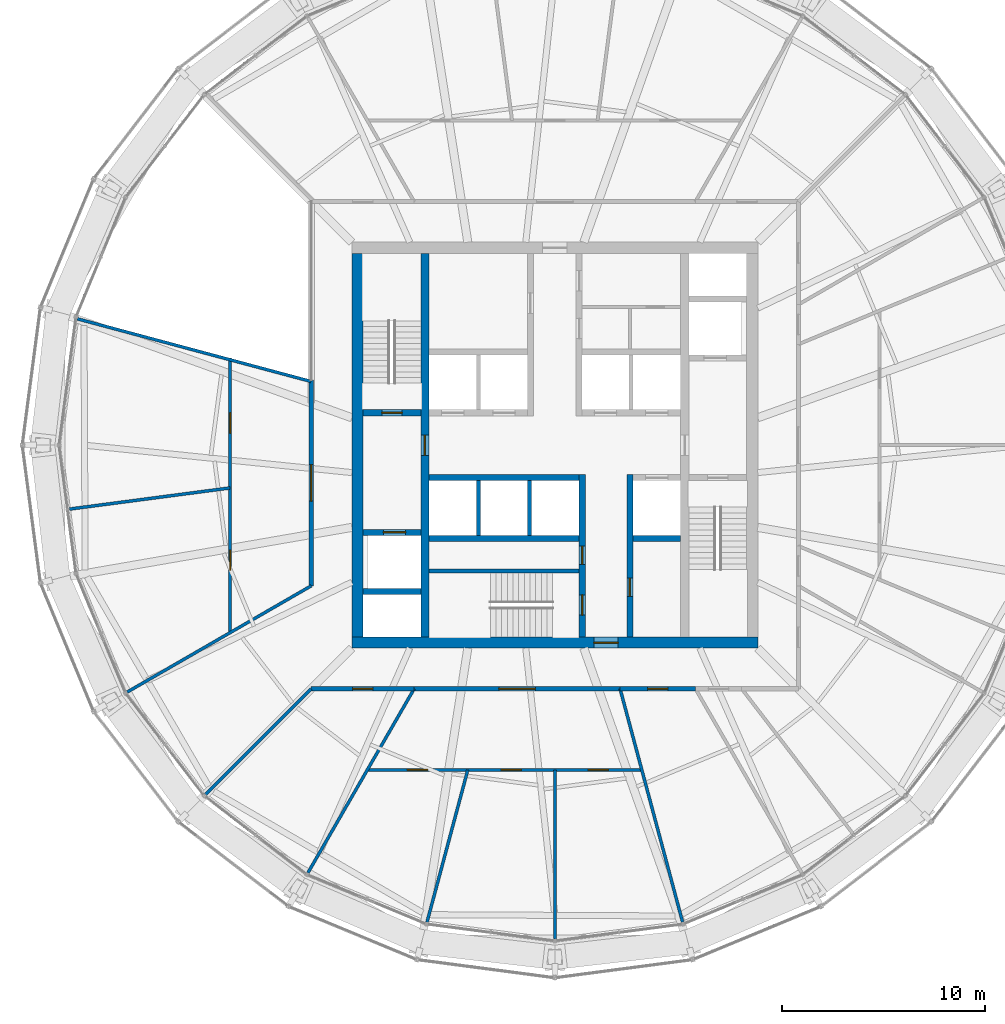
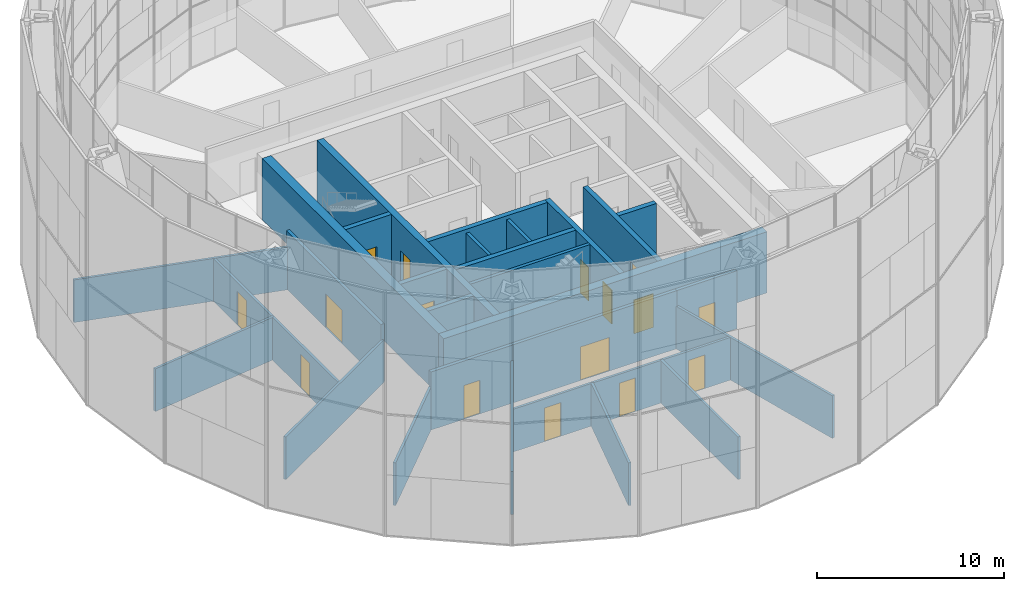
# One storey, part 25 of 28: 28 walls, 16 doors, 16 openings.
"""IFC4 building model written with IfcOpenShell, lengths in metres."""

import ifcopenshell
import ifcopenshell.guid

model = None  # the IFC model being written
_history = None  # IfcOwnerHistory: only IFC2X3 demands one
_inside = {}  # id of a spatial element -> (the spatial element, [elements in it])
_under = {}  # id of a project, library or spatial element -> (it, [spatial elements below it])
_declared = {}  # id of a project -> (the project, [libraries it declares])
_typed = {}  # id of a type object -> (the type object, [elements of that type])
_made_of = {}  # id of a material, layer set ... -> (it, [elements and type objects made of it])


def new_model(schema):
    """Start an empty IFC model of exactly this schema.

    Asked for "IFC4X3", IfcOpenShell would pick the latest addendum, in which some entities
    have other attributes; the version numbers below select the first issue.
    IFC2X3 requires an IfcOwnerHistory on every rooted entity: one is made here for all.
    """
    global model, _history
    if schema == "IFC4X3":
        model = ifcopenshell.file(schema_version=(4, 3, 0, 0))
    else:
        model = ifcopenshell.file(schema=schema)
    _inside.clear()
    _under.clear()
    _declared.clear()
    _typed.clear()
    _made_of.clear()
    _history = None
    if model.schema == "IFC2X3":
        org = make("IfcOrganization", Name="unknown")
        user = make(
            "IfcPersonAndOrganization",
            ThePerson=make("IfcPerson", FamilyName="unknown"),
            TheOrganization=org,
        )
        app = make(
            "IfcApplication",
            ApplicationDeveloper=org,
            Version="unknown",
            ApplicationFullName="unknown",
            ApplicationIdentifier="unknown",
        )
        _history = make(
            "IfcOwnerHistory",
            OwningUser=user,
            OwningApplication=app,
            ChangeAction="ADDED",
            CreationDate=0,
        )
    return model


def make(cls, **values):
    """One entity of the class cls with the attributes given. An attribute that is None is left unset."""
    return model.create_entity(
        cls, **{name: value for name, value in values.items() if value is not None}
    )


def rooted(cls, **values):
    """An entity with a GlobalId (a new one), such as an element, a storey or a relation."""
    return make(cls, GlobalId=ifcopenshell.guid.new(), OwnerHistory=_history, **values)


def si_unit(unit_type, name, prefix=None):
    """IfcSIUnit, for example si_unit("LENGTHUNIT", "METRE", prefix="MILLI")."""
    return make("IfcSIUnit", UnitType=unit_type, Prefix=prefix, Name=name)


def assignment(units):
    """IfcUnitAssignment: the units of a project."""
    return None if units is None else make("IfcUnitAssignment", Units=units)


def point(xyz):
    """IfcCartesianPoint."""
    return None if xyz is None else make("IfcCartesianPoint", Coordinates=xyz)


def direction(xyz):
    """IfcDirection."""
    return None if xyz is None else make("IfcDirection", DirectionRatios=xyz)


def frame(location, z_axis=None, x_axis=None):
    """IfcAxis2Placement3D, a coordinate frame: its origin and axes. An axis left out is left unset."""
    return make(
        "IfcAxis2Placement3D",
        Location=point(location),
        Axis=direction(z_axis),
        RefDirection=direction(x_axis),
    )


def frame_2d(location, x_axis=None):
    """IfcAxis2Placement2D, a coordinate frame in the plane: its origin and x axis."""
    return make(
        "IfcAxis2Placement2D", Location=point(location), RefDirection=direction(x_axis)
    )


def origin():
    """The frame at (0, 0, 0) with its axes left unset."""
    return frame((0.0, 0.0, 0.0))


def place(relative_to, where):
    """IfcLocalPlacement: puts the frame where relative to a parent placement (None: the world)."""
    return make(
        "IfcLocalPlacement", PlacementRelTo=relative_to, RelativePlacement=where
    )


def context(
    kind, dimensions, precision=None, world=None, true_north=None, identifier=None
):
    """IfcGeometricRepresentationContext, for example the 3D "Model" context."""
    return make(
        "IfcGeometricRepresentationContext",
        ContextIdentifier=identifier,
        ContextType=kind,
        CoordinateSpaceDimension=dimensions,
        Precision=precision,
        WorldCoordinateSystem=world,
        TrueNorth=true_north,
    )


def subcontext(parent, identifier, kind, view, scale=None):
    """IfcGeometricRepresentationSubContext, for example "Body" below "Model"."""
    return make(
        "IfcGeometricRepresentationSubContext",
        ContextIdentifier=identifier,
        ContextType=kind,
        ParentContext=parent,
        TargetScale=scale,
        TargetView=view,
    )


def project(units=None, contexts=None):
    """IfcProject with its units and contexts."""
    return rooted(
        "IfcProject",
        Name="project",
        RepresentationContexts=contexts,
        UnitsInContext=assignment(units),
    )


def spatial(cls, under=None, at=None, **own):
    """A site, building, storey or space (cls), placed at a placement, below another one or the project."""
    s = rooted(cls, ObjectPlacement=at, **own)
    if under is not None:
        _under.setdefault(under.id(), (under, []))[1].append(s)
    return s


def profile(cls, at=None, kind="AREA", **sizes):
    """A parametric profile (cls). Its sizes go by their IFC names, for example OverallWidth=200.0."""
    return make(cls, ProfileType=kind, Position=at, **sizes)


def rectangle(**sizes):
    """IfcRectangleProfileDef."""
    return profile("IfcRectangleProfileDef", **sizes)


def extrude(swept, where, along, depth):
    """IfcExtrudedAreaSolid: the profile swept, set in the frame where, extruded along a direction by depth."""
    return make(
        "IfcExtrudedAreaSolid",
        SweptArea=swept,
        Position=where,
        ExtrudedDirection=direction(along),
        Depth=depth,
    )


def shape(context_of_items, identifier, shape_type, items):
    """IfcShapeRepresentation: the items that make up one representation, for example the "Body"."""
    return make(
        "IfcShapeRepresentation",
        ContextOfItems=context_of_items,
        RepresentationIdentifier=identifier,
        RepresentationType=shape_type,
        Items=items,
    )


def material(Name=None, Category=None):
    """IfcMaterial."""
    return make("IfcMaterial", Name=Name, Category=Category)


def layer(
    of_material, thickness, ventilated=None, Name=None, Category=None, Priority=None
):
    """IfcMaterialLayer: one layer of a wall or slab, of a material (None: an air gap)."""
    return make(
        "IfcMaterialLayer",
        Material=of_material,
        LayerThickness=thickness,
        IsVentilated=ventilated,
        Name=Name,
        Category=Category,
        Priority=Priority,
    )


def layer_set(layers, Name=None):
    """IfcMaterialLayerSet."""
    return make("IfcMaterialLayerSet", MaterialLayers=layers, LayerSetName=Name)


def made_of(thing, what):
    """Note that an element or type object is made of a material, layer set ...; save() writes the relation."""
    if what is not None:
        _made_of.setdefault(what.id(), (what, []))[1].append(thing)
    return thing


def type_object(cls, material=None, **own):
    """A type object (cls), such as IfcWallType, which elements share."""
    return made_of(rooted(cls, **own), material)


def element(
    cls,
    number,
    at=None,
    inside=None,
    cuts=None,
    type_object=None,
    material=None,
    context=None,
    identifier="Body",
    shape_type=None,
    held_by="IfcProductDefinitionShape",
    body=None,
    shapes=None,
    **own,
):
    """One element of the class cls, such as IfcWall. Its Tag is "e" and its number.

    at: its placement. inside: the storey or other place that contains it. cuts: it is an
    opening in that element (IfcRelVoidsElement). A single representation is given by context,
    identifier, shape_type and body (its items); several are given by shapes. held_by: the class
    of the entity that holds the representations. save() writes the other relations.
    """
    e = rooted(cls, Tag="e%d" % number, ObjectPlacement=at, **own)
    if body is not None:
        shapes = [shape(context, identifier, shape_type, body)]
    if shapes is not None:
        e.Representation = make(held_by, Representations=shapes)
    if inside is not None:
        _inside.setdefault(inside.id(), (inside, []))[1].append(e)
    if cuts is not None:
        rooted(
            "IfcRelVoidsElement", RelatingBuildingElement=cuts, RelatedOpeningElement=e
        )
    if type_object is not None:
        _typed.setdefault(type_object.id(), (type_object, []))[1].append(e)
    return made_of(e, material)


def fill(opening, filler):
    """IfcRelFillsElement: the door or window that sits in an opening."""
    return rooted(
        "IfcRelFillsElement",
        RelatingOpeningElement=opening,
        RelatedBuildingElement=filler,
    )


def aggregate(whole, parts):
    """IfcRelAggregates: a whole, such as a stair, and the parts it consists of."""
    return rooted("IfcRelAggregates", RelatingObject=whole, RelatedObjects=parts)


def save(model, path):
    """Write the relations noted so far, then the file.

    IfcRelAggregates (storeys below a building ...), IfcRelContainedInSpatialStructure (elements
    in a storey), IfcRelDefinesByType, IfcRelAssociatesMaterial and IfcRelDeclares: one each for
    every whole, place, type object, material and project.
    """
    for whole, parts in _under.values():
        aggregate(whole, parts)
    for where, things in _inside.values():
        rooted(
            "IfcRelContainedInSpatialStructure",
            RelatedElements=things,
            RelatingStructure=where,
        )
    for kind, things in _typed.values():
        rooted("IfcRelDefinesByType", RelatedObjects=things, RelatingType=kind)
    for what, things in _made_of.values():
        rooted("IfcRelAssociatesMaterial", RelatedObjects=things, RelatingMaterial=what)
    for by, libraries in _declared.values():
        rooted("IfcRelDeclares", RelatingContext=by, RelatedDefinitions=libraries)
    model.write(path)


model = new_model("IFC4")

# Units and contexts
model_context = context("Model", 3, precision=1e-05, world=origin(), true_north=direction((0.0, 1.0)))
body_context = subcontext(model_context, "Body", "Model", "MODEL_VIEW")
ifc_project = project(units=[si_unit("LENGTHUNIT", "METRE"), si_unit("AREAUNIT", "SQUARE_METRE"), si_unit("VOLUMEUNIT", "CUBIC_METRE"), si_unit("PLANEANGLEUNIT", "RADIAN"), si_unit("MASSUNIT", "GRAM", prefix="KILO")], contexts=[model_context])

# Site, building, storey
site_placement = place(None, origin())
site = spatial("IfcSite", under=ifc_project, at=site_placement, CompositionType="ELEMENT")
building_placement = place(site_placement, origin())
building = spatial("IfcBuilding", under=site, at=building_placement, Name="Golbaran Civic Tower", CompositionType="ELEMENT")
storey_placement = place(building_placement, frame((0.0, 0.0, 134.0)))
storey = spatial("IfcBuildingStorey", under=building, at=storey_placement, Name="L32", CompositionType="ELEMENT", Elevation=134.0)

# Wall, opening, door
ifc_material_1 = material(Name="Concrete C50/60", Category="concrete")
ifc_layer_1 = layer(ifc_material_1, 0.39990234375, Name="Concrete C50/60")
ifc_layer_set_1 = layer_set([ifc_layer_1], Name="Concrete C50/60")
wall_type_1 = type_object("IfcWallType", Name="CORE WALL CONCRETE 400", PredefinedType="SOLIDWALL", material=ifc_layer_set_1)
wall_1_placement = place(storey_placement, frame((-6.39990234375, -9.449951171875, 0.0), z_axis=(0.0, 0.0, 1.0), x_axis=(0.0, 1.0, 0.0)))
wall_1 = element("IfcWall", 1, at=wall_1_placement, inside=storey, type_object=wall_type_1, Name="Core wall IW L32", PredefinedType="SOLIDWALL", context=body_context, shape_type="SweptSolid", body=[
    extrude(rectangle(XDim=18.89990234375, YDim=0.39990234375, at=frame_2d((9.449951171875, 0.0))), origin(), (0.0, 0.0, 1.0), 4.0),
])
opening_1_placement = place(wall_1_placement, frame((8.949951171875, 0.0, 0.0)))
opening_1 = element("IfcOpeningElement", 2, at=opening_1_placement, cuts=wall_1, Name="Opening L32.FL1", PredefinedType="OPENING", context=body_context, shape_type="SweptSolid", body=[
    extrude(rectangle(XDim=1.0, YDim=2.199951171875, at=frame_2d((0.5, 1.10009765625))), frame((0.0, 0.2099609375, 0.0), z_axis=(0.0, -1.0, 0.0), x_axis=(1.0, 0.0, 0.0)), (0.0, 0.0, 1.0), 0.419921875),
])
ifc_material_2 = material(Name="Timber door set in steel frame", Category="steel")
door_type_1 = type_object("IfcDoorType", Name="STAIR DOOR 1000x2200", OperationType="SINGLE_SWING_LEFT", PredefinedType="DOOR", material=ifc_material_2)
door_1_placement = place(opening_1_placement, origin())
door_1 = element("IfcDoor", 3, at=door_1_placement, inside=storey, type_object=door_type_1, Name="Fire-fighting lobby FL1 door", OperationType="SINGLE_SWING_LEFT", OverallHeight=2.199951171875, OverallWidth=1.0, PredefinedType="DOOR", context=body_context, shape_type="SweptSolid", body=[
    extrude(rectangle(XDim=1.0, YDim=2.199951171875, at=frame_2d((0.5, 1.10009765625))), frame((0.0, 0.02490234375, 0.0), z_axis=(0.0, -1.0, 0.0), x_axis=(1.0, 0.0, 0.0)), (0.0, 0.0, 1.0), 0.050048828125),
])
fill(opening_1, door_1)

ifc_layer_2 = layer(ifc_material_1, 0.550048828125, Name="Concrete C50/60")
ifc_layer_set_2 = layer_set([ifc_layer_2], Name="Concrete C50/60")
wall_type_2 = type_object("IfcWallType", Name="CORE WALL CONCRETE 550", PredefinedType="SOLIDWALL", material=ifc_layer_set_2)
wall_2_placement = place(storey_placement, frame((10.0, -9.72509765625, 0.0), z_axis=(0.0, 0.0, 1.0), x_axis=(-1.0, 0.0, 0.0)))
wall_2 = element("IfcWall", 4, at=wall_2_placement, inside=storey, type_object=wall_type_2, Name="Core wall CS L32", PredefinedType="SOLIDWALL", context=body_context, shape_type="SweptSolid", body=[
    extrude(rectangle(XDim=20.0, YDim=0.550048828125, at=frame_2d((10.0, 0.0))), origin(), (0.0, 0.0, 1.0), 4.0),
])
opening_2_placement = place(wall_2_placement, frame((6.875, 0.0, 0.0)))
opening_2 = element("IfcOpeningElement", 5, at=opening_2_placement, cuts=wall_2, Name="Opening L32.CS", PredefinedType="OPENING", context=body_context, shape_type="SweptSolid", body=[
    extrude(rectangle(XDim=1.199951171875, YDim=2.199951171875, at=frame_2d((0.60009765625, 1.10009765625))), frame((0.0, 0.284912109375, 0.0), z_axis=(0.0, -1.0, 0.0), x_axis=(1.0, 0.0, 0.0)), (0.0, 0.0, 1.0), 0.570068359375),
])
door_type_2 = type_object("IfcDoorType", Name="CORE DOOR 1200x2200", OperationType="DOUBLE_DOOR_SINGLE_SWING", PredefinedType="DOOR", material=ifc_material_2)
door_2_placement = place(opening_2_placement, origin())
door_2 = element("IfcDoor", 6, at=door_2_placement, inside=storey, type_object=door_type_2, Name="Core door south", OperationType="DOUBLE_DOOR_SINGLE_SWING", OverallHeight=2.199951171875, OverallWidth=1.199951171875, PredefinedType="DOOR", context=body_context, shape_type="SweptSolid", body=[
    extrude(rectangle(XDim=1.199951171875, YDim=2.199951171875, at=frame_2d((0.60009765625, 1.10009765625))), frame((0.0, 0.02490234375, 0.0), z_axis=(0.0, -1.0, 0.0), x_axis=(1.0, 0.0, 0.0)), (0.0, 0.0, 1.0), 0.050048828125),
])
fill(opening_2, door_2)

# Wall
wall_3_placement = place(storey_placement, frame((-9.72509765625, 9.449951171875, 0.0), z_axis=(0.0, 0.0, 1.0), x_axis=(0.0, -1.0, 0.0)))
element("IfcWall", 7, at=wall_3_placement, inside=storey, type_object=wall_type_2, Name="Core wall CW L32", PredefinedType="SOLIDWALL", context=body_context, shape_type="SweptSolid", body=[
    extrude(rectangle(XDim=18.89990234375, YDim=0.550048828125, at=frame_2d((9.449951171875, 0.0))), origin(), (0.0, 0.0, 1.0), 4.0),
])

# Wall, opening, door
ifc_material_3 = material(Name="Gypsum board on steel studs, fire-rated", Category="steel")
ifc_layer_3 = layer(ifc_material_3, 0.199951171875, Name="Gypsum board on steel studs, fire-rated")
ifc_layer_set_3 = layer_set([ifc_layer_3], Name="Gypsum board on steel studs, fire-rated")
wall_type_3 = type_object("IfcWallType", Name="CORRIDOR WALL 200", PredefinedType="PARTITIONING", material=ifc_layer_set_3)
wall_4_placement = place(storey_placement, frame((-12.0, 3.21533203125, 0.0), z_axis=(0.0, 0.0, 1.0), x_axis=(0.0, -1.0, 0.0)))
wall_4 = element("IfcWall", 8, at=wall_4_placement, inside=storey, type_object=wall_type_3, Name="Corridor wall L32", PredefinedType="PARTITIONING", context=body_context, shape_type="SweptSolid", body=[
    extrude(rectangle(XDim=10.1435546875, YDim=0.199951171875, at=frame_2d((5.07177734375, 0.0))), origin(), (0.0, 0.0, 1.0), 3.800048828125),
])
opening_3_placement = place(wall_4_placement, frame((4.171875, 0.0, 0.0)))
opening_3 = element("IfcOpeningElement", 9, at=opening_3_placement, cuts=wall_4, Name="Opening L32.18", PredefinedType="OPENING", context=body_context, shape_type="SweptSolid", body=[
    extrude(rectangle(XDim=1.800048828125, YDim=2.199951171875, at=frame_2d((0.89990234375, 1.10009765625))), frame((0.0, 0.10986328125, 0.0), z_axis=(0.0, -1.0, 0.0), x_axis=(1.0, 0.0, 0.0)), (0.0, 0.0, 1.0), 0.219970703125),
])
door_type_3 = type_object("IfcDoorType", Name="OFFICE DOUBLE DOOR 1800x2200", OperationType="DOUBLE_DOOR_SINGLE_SWING", PredefinedType="DOOR", material=ifc_material_2)
door_3_placement = place(opening_3_placement, origin())
door_3 = element("IfcDoor", 10, at=door_3_placement, inside=storey, type_object=door_type_3, Name="Secretariat door L32", OperationType="DOUBLE_DOOR_SINGLE_SWING", OverallHeight=2.199951171875, OverallWidth=1.800048828125, PredefinedType="DOOR", context=body_context, shape_type="SweptSolid", body=[
    extrude(rectangle(XDim=1.800048828125, YDim=2.199951171875, at=frame_2d((0.89990234375, 1.10009765625))), frame((0.0, 0.02490234375, 0.0), z_axis=(0.0, -1.0, 0.0), x_axis=(1.0, 0.0, 0.0)), (0.0, 0.0, 1.0), 0.050048828125),
])
fill(opening_3, door_3)

wall_5_placement = place(storey_placement, frame((-12.0, -12.0, 0.0), z_axis=(0.0, 0.0, 1.0), x_axis=(1.0, 0.0, 0.0)))
wall_5 = element("IfcWall", 11, at=wall_5_placement, inside=storey, type_object=wall_type_3, Name="Corridor wall L32", PredefinedType="PARTITIONING", context=body_context, shape_type="SweptSolid", body=[
    extrude(rectangle(XDim=5.07177734375, YDim=0.199951171875, at=frame_2d((2.535888671875, 0.0))), origin(), (0.0, 0.0, 1.0), 3.800048828125),
])
opening_4_placement = place(wall_5_placement, frame((2.035888671875, 0.0, 0.0)))
opening_4 = element("IfcOpeningElement", 12, at=opening_4_placement, cuts=wall_5, Name="Opening L32.19", PredefinedType="OPENING", context=body_context, shape_type="SweptSolid", body=[
    extrude(rectangle(XDim=1.0, YDim=2.199951171875, at=frame_2d((0.5, 1.10009765625))), frame((0.0, 0.10986328125, 0.0), z_axis=(0.0, -1.0, 0.0), x_axis=(1.0, 0.0, 0.0)), (0.0, 0.0, 1.0), 0.219970703125),
])
door_type_4 = type_object("IfcDoorType", Name="OFFICE DOOR 1000x2200", OperationType="SINGLE_SWING_LEFT", PredefinedType="DOOR", material=ifc_material_2)
door_4_placement = place(opening_4_placement, origin())
door_4 = element("IfcDoor", 13, at=door_4_placement, inside=storey, type_object=door_type_4, Name="Print and Copy Room door L32", OperationType="SINGLE_SWING_LEFT", OverallHeight=2.199951171875, OverallWidth=1.0, PredefinedType="DOOR", context=body_context, shape_type="SweptSolid", body=[
    extrude(rectangle(XDim=1.0, YDim=2.199951171875, at=frame_2d((0.5, 1.10009765625))), frame((0.0, 0.02490234375, 0.0), z_axis=(0.0, -1.0, 0.0), x_axis=(1.0, 0.0, 0.0)), (0.0, 0.0, 1.0), 0.050048828125),
])
fill(opening_4, door_4)

wall_6_placement = place(storey_placement, frame((-6.92822265625, -12.0, 0.0), z_axis=(0.0, 0.0, 1.0), x_axis=(1.0, 0.0, 0.0)))
wall_6 = element("IfcWall", 14, at=wall_6_placement, inside=storey, type_object=wall_type_3, Name="Corridor wall L32", PredefinedType="PARTITIONING", context=body_context, shape_type="SweptSolid", body=[
    extrude(rectangle(XDim=10.1435546875, YDim=0.199951171875, at=frame_2d((5.07177734375, 0.0))), origin(), (0.0, 0.0, 1.0), 3.800048828125),
])
opening_5_placement = place(wall_6_placement, frame((4.171875, 0.0, 0.0)))
opening_5 = element("IfcOpeningElement", 15, at=opening_5_placement, cuts=wall_6, Name="Opening L32.20", PredefinedType="OPENING", context=body_context, shape_type="SweptSolid", body=[
    extrude(rectangle(XDim=1.800048828125, YDim=2.199951171875, at=frame_2d((0.89990234375, 1.10009765625))), frame((0.0, 0.10986328125, 0.0), z_axis=(0.0, -1.0, 0.0), x_axis=(1.0, 0.0, 0.0)), (0.0, 0.0, 1.0), 0.219970703125),
])
door_5_placement = place(opening_5_placement, origin())
door_5 = element("IfcDoor", 16, at=door_5_placement, inside=storey, type_object=door_type_3, Name="Secretariat door L32", OperationType="DOUBLE_DOOR_SINGLE_SWING", OverallHeight=2.199951171875, OverallWidth=1.800048828125, PredefinedType="DOOR", context=body_context, shape_type="SweptSolid", body=[
    extrude(rectangle(XDim=1.800048828125, YDim=2.199951171875, at=frame_2d((0.89990234375, 1.10009765625))), frame((0.0, 0.02490234375, 0.0), z_axis=(0.0, -1.0, 0.0), x_axis=(1.0, 0.0, 0.0)), (0.0, 0.0, 1.0), 0.050048828125),
])
fill(opening_5, door_5)

wall_7_placement = place(storey_placement, frame((3.21533203125, -12.0, 0.0), z_axis=(0.0, 0.0, 1.0), x_axis=(1.0, 0.0, 0.0)))
wall_7 = element("IfcWall", 17, at=wall_7_placement, inside=storey, type_object=wall_type_3, Name="Corridor wall L32", PredefinedType="PARTITIONING", context=body_context, shape_type="SweptSolid", body=[
    extrude(rectangle(XDim=3.712890625, YDim=0.199951171875, at=frame_2d((1.8564453125, 0.0))), origin(), (0.0, 0.0, 1.0), 3.800048828125),
])
opening_6_placement = place(wall_7_placement, frame((1.3564453125, 0.0, 0.0)))
opening_6 = element("IfcOpeningElement", 18, at=opening_6_placement, cuts=wall_7, Name="Opening L32.21", PredefinedType="OPENING", context=body_context, shape_type="SweptSolid", body=[
    extrude(rectangle(XDim=1.0, YDim=2.199951171875, at=frame_2d((0.5, 1.10009765625))), frame((0.0, 0.10986328125, 0.0), z_axis=(0.0, -1.0, 0.0), x_axis=(1.0, 0.0, 0.0)), (0.0, 0.0, 1.0), 0.219970703125),
])
door_6_placement = place(opening_6_placement, origin())
door_6 = element("IfcDoor", 19, at=door_6_placement, inside=storey, type_object=door_type_4, Name="Meeting Room door L32", OperationType="SINGLE_SWING_LEFT", OverallHeight=2.199951171875, OverallWidth=1.0, PredefinedType="DOOR", context=body_context, shape_type="SweptSolid", body=[
    extrude(rectangle(XDim=1.0, YDim=2.199951171875, at=frame_2d((0.5, 1.10009765625))), frame((0.0, 0.02490234375, 0.0), z_axis=(0.0, -1.0, 0.0), x_axis=(1.0, 0.0, 0.0)), (0.0, 0.0, 1.0), 0.050048828125),
])
fill(opening_6, door_6)

# Walls
ifc_material_4 = material(Name="Concrete block", Category="concrete")
ifc_layer_4 = layer(ifc_material_4, 0.199951171875, Name="Concrete block")
ifc_layer_set_4 = layer_set([ifc_layer_4], Name="Concrete block")
wall_type_4 = type_object("IfcWallType", Name="LIFT SEPARATOR WALL 200", PredefinedType="SOLIDWALL", material=ifc_layer_set_4)
for number, where, z_axis, x_axis, name in (
    (20, (-3.75, -1.75, 0.0), (0.0, 0.0, 1.0), (0.0, -1.0, 0.0), "Core partition SSW L32"),
    (21, (-1.25, -1.75, 0.0), (0.0, 0.0, 1.0), (0.0, -1.0, 0.0), "Core partition SSM L32"),
):
    element("IfcWall", number, at=place(storey_placement, frame(where, z_axis=z_axis, x_axis=x_axis)), inside=storey, type_object=wall_type_4, Name=name, PredefinedType="SOLIDWALL", context=body_context, shape_type="SweptSolid", body=[
        extrude(rectangle(XDim=2.699951171875, YDim=0.199951171875, at=frame_2d((1.35009765625, 0.0))), origin(), (0.0, 0.0, 1.0), 3.75),
    ])
ifc_material_5 = material(Name="Gypsum board on steel studs", Category="steel")
ifc_layer_5 = layer(ifc_material_5, 0.14990234375, Name="Gypsum board on steel studs")
ifc_layer_set_5 = layer_set([ifc_layer_5], Name="Gypsum board on steel studs")
wall_type_5 = type_object("IfcWallType", Name="OFFICE PARTITION 150", PredefinedType="PARTITIONING", material=ifc_layer_set_5)
wall_8_placement = place(storey_placement, frame((-12.01953125, 3.14306640625, 0.0), z_axis=(0.0, 0.0, 1.0), x_axis=(-0.965924994823, 0.258822148155, 0.0)))
element("IfcWall", 22, at=wall_8_placement, inside=storey, type_object=wall_type_5, Name="Partition 165 L32", PredefinedType="PARTITIONING", context=body_context, shape_type="SweptSolid", body=[
    extrude(rectangle(XDim=11.91064453125, YDim=0.14990234375, at=frame_2d((5.955322265625, 0.0))), origin(), (0.0, 0.0, 1.0), 2.7900390625),
])
wall_9_placement = place(storey_placement, frame((-12.0, -6.92822265625, 0.0), z_axis=(0.0, 0.0, 1.0), x_axis=(-0.866029212144, -0.49999340367, 0.0)))
element("IfcWall", 23, at=wall_9_placement, inside=storey, type_object=wall_type_5, Name="Partition 210 L32", PredefinedType="PARTITIONING", context=body_context, shape_type="SweptSolid", body=[
    extrude(rectangle(XDim=10.477783203125, YDim=0.14990234375, at=frame_2d((5.23876953125, 0.0))), origin(), (0.0, 0.0, 1.0), 2.7900390625),
])
wall_10_placement = place(storey_placement, frame((-12.0, -12.0, 0.0), z_axis=(0.0, 0.0, 1.0), x_axis=(-0.707106781187, -0.707106781187, 0.0)))
element("IfcWall", 24, at=wall_10_placement, inside=storey, type_object=wall_type_5, Name="Partition 225 L32", PredefinedType="PARTITIONING", context=body_context, shape_type="SweptSolid", body=[
    extrude(rectangle(XDim=7.363525390625, YDim=0.14990234375, at=frame_2d((3.681640625, 0.0))), origin(), (0.0, 0.0, 1.0), 2.7900390625),
])
wall_11_placement = place(storey_placement, frame((-6.92822265625, -12.0, 0.0), z_axis=(0.0, 0.0, 1.0), x_axis=(-0.49999340367, -0.866029212144, 0.0)))
element("IfcWall", 25, at=wall_11_placement, inside=storey, type_object=wall_type_5, Name="Partition 240 L32", PredefinedType="PARTITIONING", context=body_context, shape_type="SweptSolid", body=[
    extrude(rectangle(XDim=10.477783203125, YDim=0.14990234375, at=frame_2d((5.23876953125, 0.0))), origin(), (0.0, 0.0, 1.0), 2.7900390625),
])
wall_12_placement = place(storey_placement, frame((3.21533203125, -12.0, 0.0), z_axis=(0.0, 0.0, 1.0), x_axis=(0.258817023816, -0.965926367889, 0.0)))
element("IfcWall", 26, at=wall_12_placement, inside=storey, type_object=wall_type_5, Name="Partition 285 L32", PredefinedType="PARTITIONING", context=body_context, shape_type="SweptSolid", body=[
    extrude(rectangle(XDim=11.910888671875, YDim=0.14990234375, at=frame_2d((5.95556640625, 0.0))), origin(), (0.0, 0.0, 1.0), 2.7900390625),
])

# Wall, openings, doors
wall_13_placement = place(storey_placement, frame((-16.0, 4.287109375, 0.0), z_axis=(0.0, 0.0, 1.0), x_axis=(0.0, -1.0, 0.0)))
wall_13 = element("IfcWall", 27, at=wall_13_placement, inside=storey, type_object=wall_type_5, Name="Suite partition L32", PredefinedType="PARTITIONING", context=body_context, shape_type="SweptSolid", body=[
    extrude(rectangle(XDim=13.524658203125, YDim=0.14990234375, at=frame_2d((6.76220703125, 0.0))), origin(), (0.0, 0.0, 1.0), 2.7900390625),
])
opening_7_placement = place(wall_13_placement, frame((2.69677734375, 0.0, 0.0)))
opening_7 = element("IfcOpeningElement", 28, at=opening_7_placement, cuts=wall_13, Name="Opening L32.06", PredefinedType="OPENING", context=body_context, shape_type="SweptSolid", body=[
    extrude(rectangle(XDim=1.0, YDim=2.199951171875, at=frame_2d((0.5, 1.10009765625))), frame((0.0, 0.0849609375, 0.0), z_axis=(0.0, -1.0, 0.0), x_axis=(1.0, 0.0, 0.0)), (0.0, 0.0, 1.0), 0.169921875),
])
opening_8_placement = place(wall_13_placement, frame((9.459228515625, 0.0, 0.0)))
opening_8 = element("IfcOpeningElement", 29, at=opening_8_placement, cuts=wall_13, Name="Opening L32.07", PredefinedType="OPENING", context=body_context, shape_type="SweptSolid", body=[
    extrude(rectangle(XDim=1.0, YDim=2.199951171875, at=frame_2d((0.5, 1.10009765625))), frame((0.0, 0.0849609375, 0.0), z_axis=(0.0, -1.0, 0.0), x_axis=(1.0, 0.0, 0.0)), (0.0, 0.0, 1.0), 0.169921875),
])
door_7_placement = place(opening_7_placement, origin())
door_7 = element("IfcDoor", 30, at=door_7_placement, inside=storey, type_object=door_type_4, Name="Office door L32", OperationType="SINGLE_SWING_LEFT", OverallHeight=2.199951171875, OverallWidth=1.0, PredefinedType="DOOR", context=body_context, shape_type="SweptSolid", body=[
    extrude(rectangle(XDim=1.0, YDim=2.199951171875, at=frame_2d((0.5, 1.10009765625))), frame((0.0, 0.02490234375, 0.0), z_axis=(0.0, -1.0, 0.0), x_axis=(1.0, 0.0, 0.0)), (0.0, 0.0, 1.0), 0.050048828125),
])
fill(opening_7, door_7)
door_8_placement = place(opening_8_placement, origin())
door_8 = element("IfcDoor", 31, at=door_8_placement, inside=storey, type_object=door_type_4, Name="Office door L32", OperationType="SINGLE_SWING_RIGHT", OverallHeight=2.199951171875, OverallWidth=1.0, PredefinedType="DOOR", context=body_context, shape_type="SweptSolid", body=[
    extrude(rectangle(XDim=1.0, YDim=2.199951171875, at=frame_2d((0.5, 1.10009765625))), frame((0.0, 0.02490234375, 0.0), z_axis=(0.0, -1.0, 0.0), x_axis=(1.0, 0.0, 0.0)), (0.0, 0.0, 1.0), 0.050048828125),
])
fill(opening_8, door_8)

# Wall
wall_14_placement = place(storey_placement, frame((-16.0, -2.1064453125, 0.0), z_axis=(0.0, 0.0, 1.0), x_axis=(-0.991443577351, -0.13053594497, 0.0)))
element("IfcWall", 32, at=wall_14_placement, inside=storey, type_object=wall_type_5, Name="Partition 187.5 L32", PredefinedType="PARTITIONING", context=body_context, shape_type="SweptSolid", body=[
    extrude(rectangle(XDim=7.988037109375, YDim=0.14990234375, at=frame_2d((3.994140625, 0.0))), origin(), (0.0, 0.0, 1.0), 2.7900390625),
])

# Wall, openings, doors
wall_15_placement = place(storey_placement, frame((-9.237548828125, -16.0, 0.0), z_axis=(0.0, 0.0, 1.0), x_axis=(1.0, 0.0, 0.0)))
wall_15 = element("IfcWall", 33, at=wall_15_placement, inside=storey, type_object=wall_type_5, Name="Suite partition L32", PredefinedType="PARTITIONING", context=body_context, shape_type="SweptSolid", body=[
    extrude(rectangle(XDim=13.524658203125, YDim=0.14990234375, at=frame_2d((6.76220703125, 0.0))), origin(), (0.0, 0.0, 1.0), 2.7900390625),
])
opening_9_placement = place(wall_15_placement, frame((1.97509765625, 0.0, 0.0)))
opening_9 = element("IfcOpeningElement", 34, at=opening_9_placement, cuts=wall_15, Name="Opening L32.08", PredefinedType="OPENING", context=body_context, shape_type="SweptSolid", body=[
    extrude(rectangle(XDim=1.0, YDim=2.199951171875, at=frame_2d((0.5, 1.10009765625))), frame((0.0, 0.0849609375, 0.0), z_axis=(0.0, -1.0, 0.0), x_axis=(1.0, 0.0, 0.0)), (0.0, 0.0, 1.0), 0.169921875),
])
opening_10_placement = place(wall_15_placement, frame((6.593994140625, 0.0, 0.0)))
opening_10 = element("IfcOpeningElement", 35, at=opening_10_placement, cuts=wall_15, Name="Opening L32.09", PredefinedType="OPENING", context=body_context, shape_type="SweptSolid", body=[
    extrude(rectangle(XDim=1.0, YDim=2.199951171875, at=frame_2d((0.5, 1.10009765625))), frame((0.0, 0.0849609375, 0.0), z_axis=(0.0, -1.0, 0.0), x_axis=(1.0, 0.0, 0.0)), (0.0, 0.0, 1.0), 0.169921875),
])
opening_11_placement = place(wall_15_placement, frame((10.881103515625, 0.0, 0.0)))
opening_11 = element("IfcOpeningElement", 36, at=opening_11_placement, cuts=wall_15, Name="Opening L32.10", PredefinedType="OPENING", context=body_context, shape_type="SweptSolid", body=[
    extrude(rectangle(XDim=1.0, YDim=2.199951171875, at=frame_2d((0.5, 1.10009765625))), frame((0.0, 0.0849609375, 0.0), z_axis=(0.0, -1.0, 0.0), x_axis=(1.0, 0.0, 0.0)), (0.0, 0.0, 1.0), 0.169921875),
])
door_9_placement = place(opening_9_placement, origin())
door_9 = element("IfcDoor", 37, at=door_9_placement, inside=storey, type_object=door_type_4, Name="Director's Office door L32", OperationType="SINGLE_SWING_LEFT", OverallHeight=2.199951171875, OverallWidth=1.0, PredefinedType="DOOR", context=body_context, shape_type="SweptSolid", body=[
    extrude(rectangle(XDim=1.0, YDim=2.199951171875, at=frame_2d((0.5, 1.10009765625))), frame((0.0, 0.02490234375, 0.0), z_axis=(0.0, -1.0, 0.0), x_axis=(1.0, 0.0, 0.0)), (0.0, 0.0, 1.0), 0.050048828125),
])
fill(opening_9, door_9)
door_10_placement = place(opening_10_placement, origin())
door_10 = element("IfcDoor", 38, at=door_10_placement, inside=storey, type_object=door_type_4, Name="Office door L32", OperationType="SINGLE_SWING_RIGHT", OverallHeight=2.199951171875, OverallWidth=1.0, PredefinedType="DOOR", context=body_context, shape_type="SweptSolid", body=[
    extrude(rectangle(XDim=1.0, YDim=2.199951171875, at=frame_2d((0.5, 1.10009765625))), frame((0.0, 0.02490234375, 0.0), z_axis=(0.0, -1.0, 0.0), x_axis=(1.0, 0.0, 0.0)), (0.0, 0.0, 1.0), 0.050048828125),
])
fill(opening_10, door_10)
door_11_placement = place(opening_11_placement, origin())
door_11 = element("IfcDoor", 39, at=door_11_placement, inside=storey, type_object=door_type_4, Name="Office door L32", OperationType="SINGLE_SWING_RIGHT", OverallHeight=2.199951171875, OverallWidth=1.0, PredefinedType="DOOR", context=body_context, shape_type="SweptSolid", body=[
    extrude(rectangle(XDim=1.0, YDim=2.199951171875, at=frame_2d((0.5, 1.10009765625))), frame((0.0, 0.02490234375, 0.0), z_axis=(0.0, -1.0, 0.0), x_axis=(1.0, 0.0, 0.0)), (0.0, 0.0, 1.0), 0.050048828125),
])
fill(opening_11, door_11)

# Walls
wall_16_placement = place(storey_placement, frame((-4.287109375, -16.0, 0.0), z_axis=(0.0, 0.0, 1.0), x_axis=(-0.25881827922, -0.965926031506, 0.0)))
element("IfcWall", 40, at=wall_16_placement, inside=storey, type_object=wall_type_5, Name="Partition 255 L32", PredefinedType="PARTITIONING", context=body_context, shape_type="SweptSolid", body=[
    extrude(rectangle(XDim=7.769775390625, YDim=0.14990234375, at=frame_2d((3.884765625, 0.0))), origin(), (0.0, 0.0, 1.0), 2.7900390625),
])
wall_17_placement = place(storey_placement, frame((0.0, -16.0, 0.0), z_axis=(0.0, 0.0, 1.0), x_axis=(0.0, -1.0, 0.0)))
element("IfcWall", 41, at=wall_17_placement, inside=storey, type_object=wall_type_5, Name="Partition 270 L32", PredefinedType="PARTITIONING", context=body_context, shape_type="SweptSolid", body=[
    extrude(rectangle(XDim=8.334228515625, YDim=0.14990234375, at=frame_2d((4.1669921875, 0.0))), origin(), (0.0, 0.0, 1.0), 2.7900390625),
])
ifc_layer_6 = layer(ifc_material_1, 0.199951171875, Name="Concrete C50/60")
ifc_layer_set_6 = layer_set([ifc_layer_6], Name="Concrete C50/60")
wall_type_6 = type_object("IfcWallType", Name="SHAFT WALL CONCRETE 200", PredefinedType="SOLIDWALL", material=ifc_layer_set_6)
wall_18_placement = place(storey_placement, frame((-6.199951171875, -6.199951171875, 0.0), z_axis=(0.0, 0.0, 1.0), x_axis=(1.0, 0.0, 0.0)))
element("IfcWall", 42, at=wall_18_placement, inside=storey, type_object=wall_type_6, Name="Core wall S3N L32", PredefinedType="SOLIDWALL", context=body_context, shape_type="SweptSolid", body=[
    extrude(rectangle(XDim=7.39990234375, YDim=0.199951171875, at=frame_2d((3.699951171875, 0.0))), origin(), (0.0, 0.0, 1.0), 4.0),
])
ifc_layer_7 = layer(ifc_material_1, 0.300048828125, Name="Concrete C50/60")
ifc_layer_set_7 = layer_set([ifc_layer_7], Name="Concrete C50/60")
wall_type_7 = type_object("IfcWallType", Name="SHAFT WALL CONCRETE 300", PredefinedType="SOLIDWALL", material=ifc_layer_set_7)
for number, where, z_axis, x_axis, name in (
    (43, (-6.199951171875, -1.60009765625, 0.0), (0.0, 0.0, 1.0), (1.0, 0.0, 0.0), "Core wall FSW L32"),
    (44, (-6.199951171875, -4.60009765625, 0.0), (0.0, 0.0, 1.0), (1.0, 0.0, 0.0), "Core wall BSW L32"),
):
    element("IfcWall", number, at=place(storey_placement, frame(where, z_axis=z_axis, x_axis=x_axis)), inside=storey, type_object=wall_type_7, Name=name, PredefinedType="SOLIDWALL", context=body_context, shape_type="SweptSolid", body=[
        extrude(rectangle(XDim=7.39990234375, YDim=0.300048828125, at=frame_2d((3.699951171875, 0.0))), origin(), (0.0, 0.0, 1.0), 4.0),
    ])
wall_19_placement = place(storey_placement, frame((3.85009765625, -4.60009765625, 0.0), z_axis=(0.0, 0.0, 1.0), x_axis=(1.0, 0.0, 0.0)))
element("IfcWall", 45, at=wall_19_placement, inside=storey, type_object=wall_type_7, Name="Core wall BSE L32", PredefinedType="SOLIDWALL", context=body_context, shape_type="SweptSolid", body=[
    extrude(rectangle(XDim=2.349853515625, YDim=0.300048828125, at=frame_2d((1.1748046875, 0.0))), origin(), (0.0, 0.0, 1.0), 4.0),
])

# Wall, openings, doors
wall_20_placement = place(storey_placement, frame((1.35009765625, -1.449951171875, 0.0), z_axis=(0.0, 0.0, 1.0), x_axis=(0.0, -1.0, 0.0)))
wall_20 = element("IfcWall", 46, at=wall_20_placement, inside=storey, type_object=wall_type_7, Name="Core wall PSW L32", PredefinedType="SOLIDWALL", context=body_context, shape_type="SweptSolid", body=[
    extrude(rectangle(XDim=8.0, YDim=0.300048828125, at=frame_2d((4.0, 0.0))), origin(), (0.0, 0.0, 1.0), 4.0),
])
opening_12_placement = place(wall_20_placement, frame((5.925048828125, 0.0, 0.0)))
opening_12 = element("IfcOpeningElement", 47, at=opening_12_placement, cuts=wall_20, Name="Opening L32.S3", PredefinedType="OPENING", context=body_context, shape_type="SweptSolid", body=[
    extrude(rectangle(XDim=1.0, YDim=2.199951171875, at=frame_2d((0.5, 1.10009765625))), frame((0.0, 0.159912109375, 0.0), z_axis=(0.0, -1.0, 0.0), x_axis=(1.0, 0.0, 0.0)), (0.0, 0.0, 1.0), 0.320068359375),
])
opening_13_placement = place(wall_20_placement, frame((3.52490234375, 0.0, 0.0)))
opening_13 = element("IfcOpeningElement", 48, at=opening_13_placement, cuts=wall_20, Name="Opening L32.RE", PredefinedType="OPENING", context=body_context, shape_type="SweptSolid", body=[
    extrude(rectangle(XDim=0.89990234375, YDim=2.199951171875, at=frame_2d((0.449951171875, 1.10009765625))), frame((0.0, 0.159912109375, 0.0), z_axis=(0.0, -1.0, 0.0), x_axis=(1.0, 0.0, 0.0)), (0.0, 0.0, 1.0), 0.320068359375),
])
door_type_5 = type_object("IfcDoorType", Name="RISER DOOR 900x2200", OperationType="SINGLE_SWING_LEFT", PredefinedType="DOOR", material=ifc_material_2)
door_12_placement = place(opening_13_placement, origin())
door_12 = element("IfcDoor", 49, at=door_12_placement, inside=storey, type_object=door_type_5, Name="Electrical riser door", OperationType="SINGLE_SWING_LEFT", OverallHeight=2.199951171875, OverallWidth=0.89990234375, PredefinedType="DOOR", context=body_context, shape_type="SweptSolid", body=[
    extrude(rectangle(XDim=0.89990234375, YDim=2.199951171875, at=frame_2d((0.449951171875, 1.10009765625))), frame((0.0, 0.02490234375, 0.0), z_axis=(0.0, -1.0, 0.0), x_axis=(1.0, 0.0, 0.0)), (0.0, 0.0, 1.0), 0.050048828125),
])
fill(opening_13, door_12)
door_13_placement = place(opening_12_placement, origin())
door_13 = element("IfcDoor", 50, at=door_13_placement, inside=storey, type_object=door_type_1, Name="Stair S3 door", OperationType="SINGLE_SWING_RIGHT", OverallHeight=2.199951171875, OverallWidth=1.0, PredefinedType="DOOR", context=body_context, shape_type="SweptSolid", body=[
    extrude(rectangle(XDim=1.0, YDim=2.199951171875, at=frame_2d((0.5, 1.10009765625))), frame((0.0, 0.02490234375, 0.0), z_axis=(0.0, -1.0, 0.0), x_axis=(1.0, 0.0, 0.0)), (0.0, 0.0, 1.0), 0.050048828125),
])
fill(opening_12, door_13)

# Wall, opening, door
wall_21_placement = place(storey_placement, frame((3.699951171875, -1.449951171875, 0.0), z_axis=(0.0, 0.0, 1.0), x_axis=(0.0, -1.0, 0.0)))
wall_21 = element("IfcWall", 51, at=wall_21_placement, inside=storey, type_object=wall_type_7, Name="Core wall PSE L32", PredefinedType="SOLIDWALL", context=body_context, shape_type="SweptSolid", body=[
    extrude(rectangle(XDim=8.0, YDim=0.300048828125, at=frame_2d((4.0, 0.0))), origin(), (0.0, 0.0, 1.0), 4.0),
])
opening_14_placement = place(wall_21_placement, frame((5.10009765625, 0.0, 0.0)))
opening_14 = element("IfcOpeningElement", 52, at=opening_14_placement, cuts=wall_21, Name="Opening L32.RM", PredefinedType="OPENING", context=body_context, shape_type="SweptSolid", body=[
    extrude(rectangle(XDim=0.89990234375, YDim=2.199951171875, at=frame_2d((0.449951171875, 1.10009765625))), frame((0.0, 0.159912109375, 0.0), z_axis=(0.0, -1.0, 0.0), x_axis=(1.0, 0.0, 0.0)), (0.0, 0.0, 1.0), 0.320068359375),
])
door_14_placement = place(opening_14_placement, origin())
door_14 = element("IfcDoor", 53, at=door_14_placement, inside=storey, type_object=door_type_5, Name="Mechanical riser door", OperationType="SINGLE_SWING_RIGHT", OverallHeight=2.199951171875, OverallWidth=0.89990234375, PredefinedType="DOOR", context=body_context, shape_type="SweptSolid", body=[
    extrude(rectangle(XDim=0.89990234375, YDim=2.199951171875, at=frame_2d((0.449951171875, 1.10009765625))), frame((0.0, 0.02490234375, 0.0), z_axis=(0.0, -1.0, 0.0), x_axis=(1.0, 0.0, 0.0)), (0.0, 0.0, 1.0), 0.050048828125),
])
fill(opening_14, door_14)

wall_22_placement = place(storey_placement, frame((-9.449951171875, 1.60009765625, 0.0), z_axis=(0.0, 0.0, 1.0), x_axis=(1.0, 0.0, 0.0)))
wall_22 = element("IfcWall", 54, at=wall_22_placement, inside=storey, type_object=wall_type_7, Name="Core wall XW1 L32", PredefinedType="SOLIDWALL", context=body_context, shape_type="SweptSolid", body=[
    extrude(rectangle(XDim=2.849853515625, YDim=0.300048828125, at=frame_2d((1.4248046875, 0.0))), origin(), (0.0, 0.0, 1.0), 4.0),
])
opening_15_placement = place(wall_22_placement, frame((0.925048828125, 0.0, 0.0)))
opening_15 = element("IfcOpeningElement", 55, at=opening_15_placement, cuts=wall_22, Name="Opening L32.S1", PredefinedType="OPENING", context=body_context, shape_type="SweptSolid", body=[
    extrude(rectangle(XDim=1.0, YDim=2.199951171875, at=frame_2d((0.5, 1.10009765625))), frame((0.0, 0.159912109375, 0.0), z_axis=(0.0, -1.0, 0.0), x_axis=(1.0, 0.0, 0.0)), (0.0, 0.0, 1.0), 0.320068359375),
])
door_15_placement = place(opening_15_placement, origin())
door_15 = element("IfcDoor", 56, at=door_15_placement, inside=storey, type_object=door_type_1, Name="Stair S1 door", OperationType="SINGLE_SWING_LEFT", OverallHeight=2.199951171875, OverallWidth=1.0, PredefinedType="DOOR", context=body_context, shape_type="SweptSolid", body=[
    extrude(rectangle(XDim=1.0, YDim=2.199951171875, at=frame_2d((0.5, 1.10009765625))), frame((0.0, 0.02490234375, 0.0), z_axis=(0.0, -1.0, 0.0), x_axis=(1.0, 0.0, 0.0)), (0.0, 0.0, 1.0), 0.050048828125),
])
fill(opening_15, door_15)

wall_23_placement = place(storey_placement, frame((-9.449951171875, -4.300048828125, 0.0), z_axis=(0.0, 0.0, 1.0), x_axis=(1.0, 0.0, 0.0)))
wall_23 = element("IfcWall", 57, at=wall_23_placement, inside=storey, type_object=wall_type_7, Name="Core wall XW2 L32", PredefinedType="SOLIDWALL", context=body_context, shape_type="SweptSolid", body=[
    extrude(rectangle(XDim=2.849853515625, YDim=0.300048828125, at=frame_2d((1.4248046875, 0.0))), origin(), (0.0, 0.0, 1.0), 4.0),
])
opening_16_placement = place(wall_23_placement, frame((1.0, 0.0, 0.0)))
opening_16 = element("IfcOpeningElement", 58, at=opening_16_placement, cuts=wall_23, Name="Opening L32.LD-F1", PredefinedType="OPENING", context=body_context, shape_type="SweptSolid", body=[
    extrude(rectangle(XDim=1.10009765625, YDim=2.199951171875, at=frame_2d((0.550048828125, 1.10009765625))), frame((0.0, 0.159912109375, 0.0), z_axis=(0.0, -1.0, 0.0), x_axis=(1.0, 0.0, 0.0)), (0.0, 0.0, 1.0), 0.320068359375),
])
ifc_material_6 = material(Name="Stainless steel", Category="steel")
door_type_6 = type_object("IfcDoorType", Name="LIFT LANDING DOOR 1100x2200", OperationType="SLIDING_TO_LEFT", PredefinedType="DOOR", material=ifc_material_6)
door_16_placement = place(opening_16_placement, origin())
door_16 = element("IfcDoor", 59, at=door_16_placement, inside=storey, type_object=door_type_6, Name="Lift landing door F1", OperationType="SLIDING_TO_LEFT", OverallHeight=2.199951171875, OverallWidth=1.10009765625, PredefinedType="DOOR", context=body_context, shape_type="SweptSolid", body=[
    extrude(rectangle(XDim=1.10009765625, YDim=2.199951171875, at=frame_2d((0.550048828125, 1.10009765625))), frame((0.0, 0.02490234375, 0.0), z_axis=(0.0, -1.0, 0.0), x_axis=(1.0, 0.0, 0.0)), (0.0, 0.0, 1.0), 0.050048828125),
])
fill(opening_16, door_16)

# Wall
wall_24_placement = place(storey_placement, frame((-9.449951171875, -7.199951171875, 0.0), z_axis=(0.0, 0.0, 1.0), x_axis=(1.0, 0.0, 0.0)))
element("IfcWall", 60, at=wall_24_placement, inside=storey, type_object=wall_type_7, Name="Core wall XW3 L32", PredefinedType="SOLIDWALL", context=body_context, shape_type="SweptSolid", body=[
    extrude(rectangle(XDim=2.849853515625, YDim=0.300048828125, at=frame_2d((1.4248046875, 0.0))), origin(), (0.0, 0.0, 1.0), 4.0),
])

save(model, "model.ifc")
